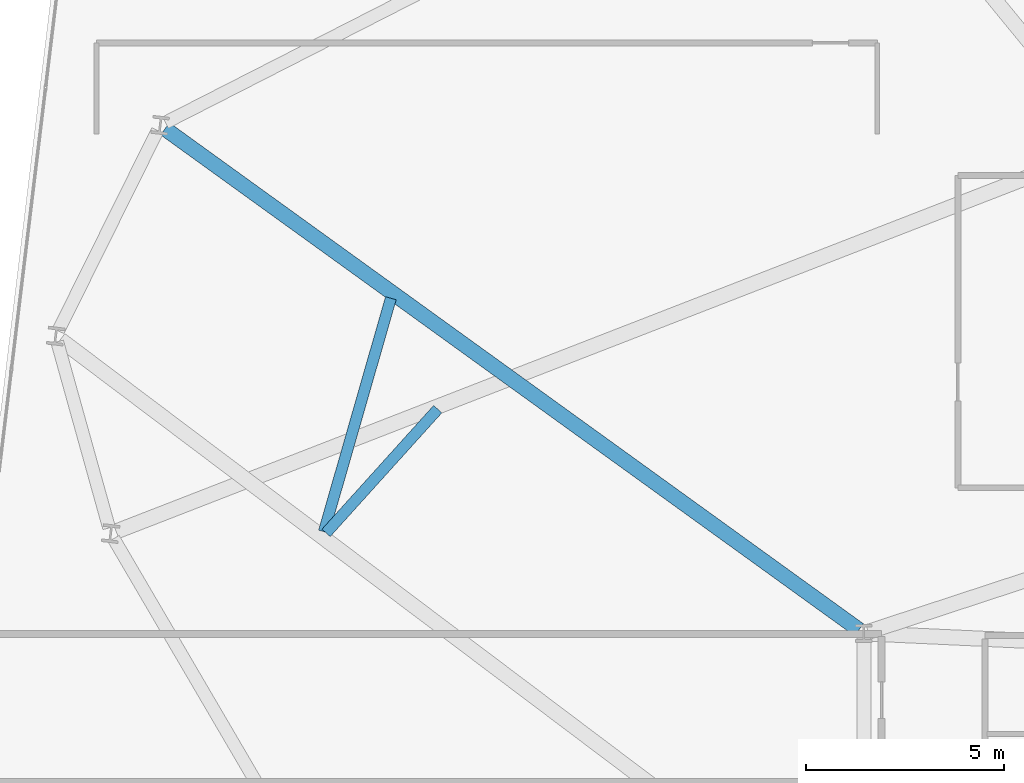
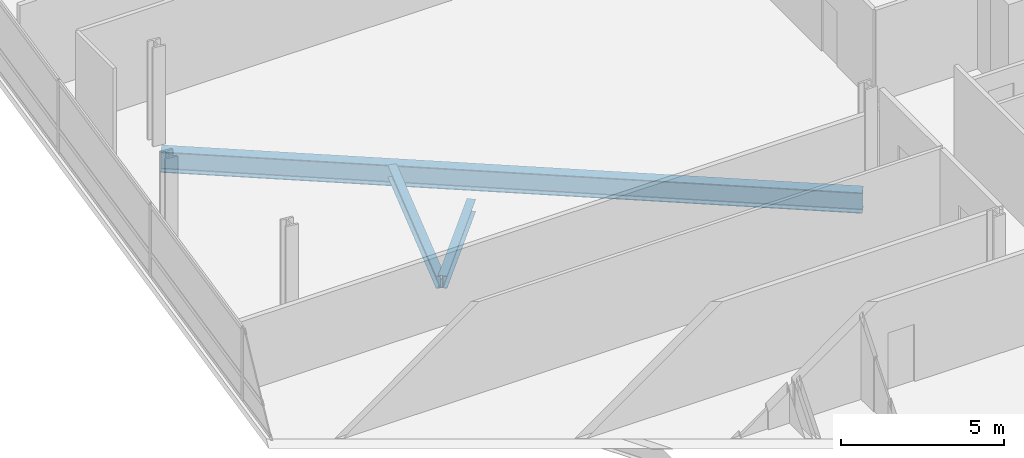
# One storey, part 9 of 26: 3 beams.
"""IFC4 building model written with IfcOpenShell, lengths in metres."""

from ifc_helpers import new_model, si_unit, direction, frame, origin, origin_2d, place, context, subcontext, project, spatial, i_section, extrude, material, material_profile, profile_set, type_object, element, save


model = new_model("IFC4")

# Units and contexts
model_context = context("Model", 3, precision=1e-05, world=origin(), true_north=direction((0.0, 1.0)))
body_context = subcontext(model_context, "Body", "Model", "MODEL_VIEW")
ifc_project = project(units=[si_unit("LENGTHUNIT", "METRE"), si_unit("AREAUNIT", "SQUARE_METRE"), si_unit("VOLUMEUNIT", "CUBIC_METRE"), si_unit("PLANEANGLEUNIT", "RADIAN"), si_unit("MASSUNIT", "GRAM", prefix="KILO")], contexts=[model_context])

# Site, building, storey
site_placement = place(None, origin())
site = spatial("IfcSite", under=ifc_project, at=site_placement, CompositionType="ELEMENT")
building_placement = place(site_placement, origin())
building = spatial("IfcBuilding", under=site, at=building_placement, Name="Varnelok Gate Tower", CompositionType="ELEMENT")
storey_placement = place(building_placement, frame((0.0, 0.0, 151.300048828125)))
storey = spatial("IfcBuildingStorey", under=building, at=storey_placement, Name="L38", CompositionType="ELEMENT", Elevation=151.300048828125)

# Beams
ifc_material = material(Name="Structural Steel ASTM A992 Grade 50", Category="steel")
ifc_material_profile_1 = material_profile(ifc_material, i_section(OverallWidth=0.280029296875, OverallDepth=0.462890625, WebThickness=0.0107421875, FlangeThickness=0.017333984375, FilletRadius=0.014892578125, at=origin_2d()), Name="W18X76")
ifc_profile_set_1 = profile_set([ifc_material_profile_1], Name="Structural Steel ASTM A992 Grade 50")
beam_type_1 = type_object("IfcBeamType", Name="BM-JST-W18X76", PredefinedType="JOIST", material=ifc_profile_set_1)
beam_1_placement = place(storey_placement, frame((12.440185546875, 35.152099609375, -0.4814453125), z_axis=(-0.275750135254, -0.961229349795, 0.0), x_axis=(0.961229349795, -0.275750135254, 0.0)))
element("IfcBeam", 1, at=beam_1_placement, inside=storey, type_object=beam_type_1, Name="L38 Sector Floor Joist 11", PredefinedType="JOIST", context=body_context, shape_type="SweptSolid", body=[
    extrude(i_section(OverallWidth=0.280029296875, OverallDepth=0.462890625, WebThickness=0.0107421875, FlangeThickness=0.017333984375, FilletRadius=0.014892578125, at=origin_2d()), origin(), (0.0, 0.0, 1.0), 6.140869140625),
])
beam_2_placement = place(storey_placement, frame((10.802001953125, 29.21875, -0.4814453125), z_axis=(0.669972308127, 0.74238608981, 0.0), x_axis=(-0.74238608981, 0.669972308127, 0.0)))
element("IfcBeam", 2, at=beam_2_placement, inside=storey, type_object=beam_type_1, Name="L38 Sector Floor Joist 12", PredefinedType="JOIST", context=body_context, shape_type="SweptSolid", body=[
    extrude(i_section(OverallWidth=0.280029296875, OverallDepth=0.462890625, WebThickness=0.0107421875, FlangeThickness=0.017333984375, FilletRadius=0.014892578125, at=origin_2d()), origin(), (0.0, 0.0, 1.0), 4.21435546875),
])
ifc_material_profile_2 = material_profile(ifc_material, i_section(OverallWidth=0.381103515625, OverallDepth=0.77294921875, WebThickness=0.0166015625, FlangeThickness=0.027099609375, FilletRadius=0.02197265625, at=origin_2d()), Name="W30X173")
ifc_profile_set_2 = profile_set([ifc_material_profile_2], Name="Structural Steel ASTM A992 Grade 50")
beam_type_2 = type_object("IfcBeamType", Name="BM-PRI-W30X173", PredefinedType="BEAM", material=ifc_profile_set_2)
beam_3_placement = place(storey_placement, frame((24.2783203125, 26.767822265625, -0.636474609375), z_axis=(-0.810778258155, 0.585353411286, 0.0), x_axis=(-0.585353411286, -0.810778258155, 0.0)))
element("IfcBeam", 3, at=beam_3_placement, inside=storey, type_object=beam_type_2, Name="L38 Radial Floor Girder 14", PredefinedType="BEAM", context=body_context, shape_type="SweptSolid", body=[
    extrude(i_section(OverallWidth=0.381103515625, OverallDepth=0.77294921875, WebThickness=0.0166015625, FlangeThickness=0.027099609375, FilletRadius=0.02197265625, at=origin_2d()), origin(), (0.0, 0.0, 1.0), 21.645263671875),
])

save(model, "model.ifc")
